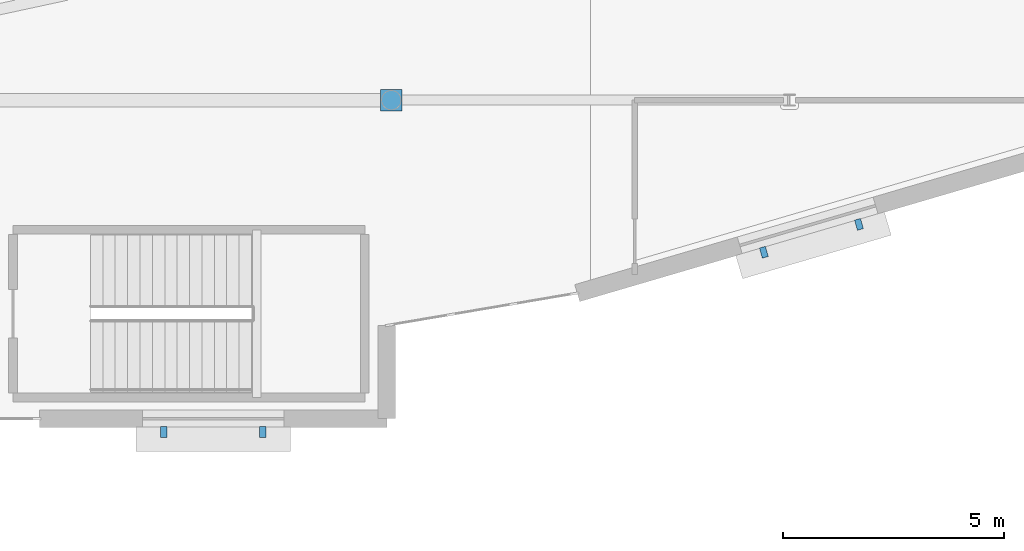
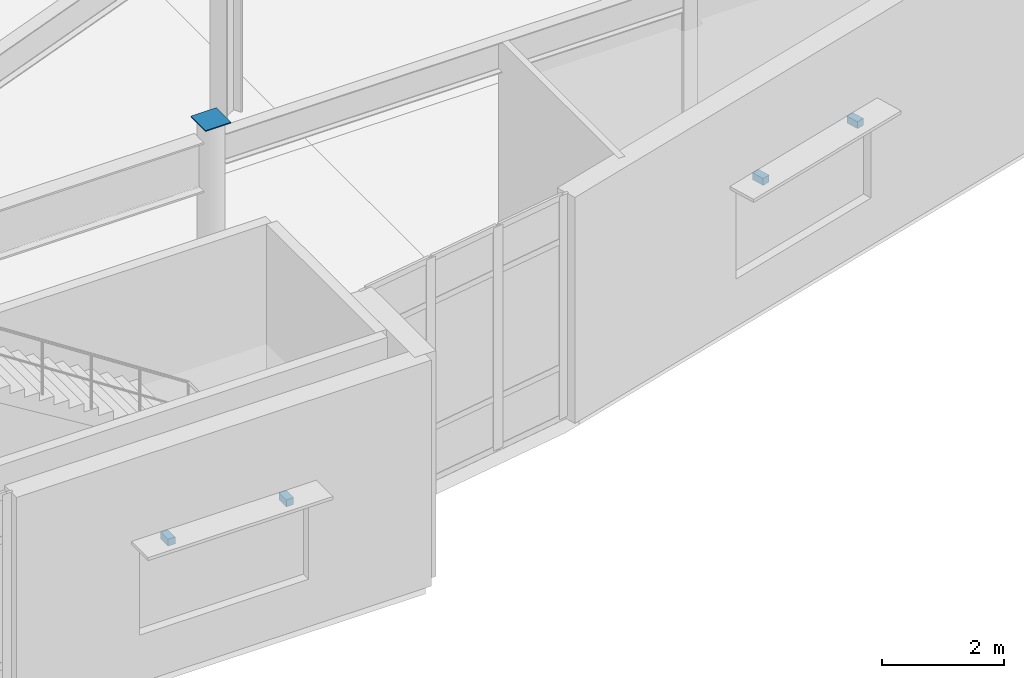
# One storey, part 73 of 86: 5 discrete accessories.
"""IFC4 building model written with IfcOpenShell, lengths in metres."""

from ifc_helpers import new_model, si_unit, direction, frame, origin, origin_2d, place, context, subcontext, project, spatial, rectangle, extrude, material, type_object, element, save


model = new_model("IFC4")

# Units and contexts
model_context = context("Model", 3, precision=1e-05, world=origin(), true_north=direction((0.0, 1.0)))
body_context = subcontext(model_context, "Body", "Model", "MODEL_VIEW")
ifc_project = project(units=[si_unit("LENGTHUNIT", "METRE"), si_unit("AREAUNIT", "SQUARE_METRE"), si_unit("VOLUMEUNIT", "CUBIC_METRE"), si_unit("PLANEANGLEUNIT", "RADIAN"), si_unit("MASSUNIT", "GRAM", prefix="KILO")], contexts=[model_context])

# Site, building, storey
site_placement = place(None, origin())
site = spatial("IfcSite", under=ifc_project, at=site_placement, CompositionType="ELEMENT")
building_placement = place(site_placement, origin())
building = spatial("IfcBuilding", under=site, at=building_placement, Name="Glasvene Arena", CompositionType="ELEMENT")
storey_placement = place(building_placement, frame((0.0, 0.0, 5.39990234375)))
storey = spatial("IfcBuildingStorey", under=building, at=storey_placement, Name="L01", CompositionType="ELEMENT", Elevation=5.39990234375)

# Discrete accessories
ifc_material_1 = material(Name="Steel S355J2", Category="steel")
discrete_accessory_type_1 = type_object("IfcDiscreteAccessoryType", Name="ACC-CAP-CHS420", PredefinedType="USERDEFINED", material=ifc_material_1)
discrete_accessory_placement = place(storey_placement, frame((111.0, 27.0, 4.798095703125), z_axis=(0.0, 0.0, 1.0), x_axis=(1.0, 0.0, 0.0)))
element("IfcDiscreteAccessory", 1, at=discrete_accessory_placement, inside=storey, type_object=discrete_accessory_type_1, Name="Hollow column top cap plate 13-4 L01", ObjectType="CAP PLATE", PredefinedType="USERDEFINED", context=body_context, shape_type="SweptSolid", body=[
    extrude(rectangle(XDim=0.47998046875, YDim=0.47998046875, at=origin_2d()), origin(), (0.0, 0.0, 1.0), 0.02001953125),
])
ifc_material_2 = material(Name="Warm bronze architectural aluminium", Category="aluminium")
discrete_accessory_type_2 = type_object("IfcDiscreteAccessoryType", Name="ACC-FIN-BRK", PredefinedType="BRACKET", material=ifc_material_2)
for number, where, z_axis, x_axis, name in (
    (2, (121.5703125, 24.192626953125, 2.72021484375), (0.0, 0.0, 1.0), (-0.959609115766, -0.281336710971, 0.0), "Brise-soleil wall bracket BK-021"),
    (3, (119.420654296875, 23.5625, 2.72021484375), (0.0, 0.0, 1.0), (-0.959609115766, -0.281336710971, 0.0), "Brise-soleil wall bracket BK-021"),
    (4, (108.094970703125, 19.5, 2.72021484375), (0.0, 0.0, 1.0), (-1.0, 0.0, 0.0), "Brise-soleil wall bracket BK-022"),
    (5, (105.85498046875, 19.5, 2.72021484375), (0.0, 0.0, 1.0), (-1.0, 0.0, 0.0), "Brise-soleil wall bracket BK-022"),
):
    element("IfcDiscreteAccessory", number, at=place(storey_placement, frame(where, z_axis=z_axis, x_axis=x_axis)), inside=storey, type_object=discrete_accessory_type_2, Name=name, PredefinedType="BRACKET", context=body_context, shape_type="SweptSolid", body=[
        extrude(rectangle(XDim=0.139892578125, YDim=0.239990234375, at=origin_2d()), origin(), (0.0, 0.0, 1.0), 0.139892578125),
    ])

save(model, "model.ifc")
